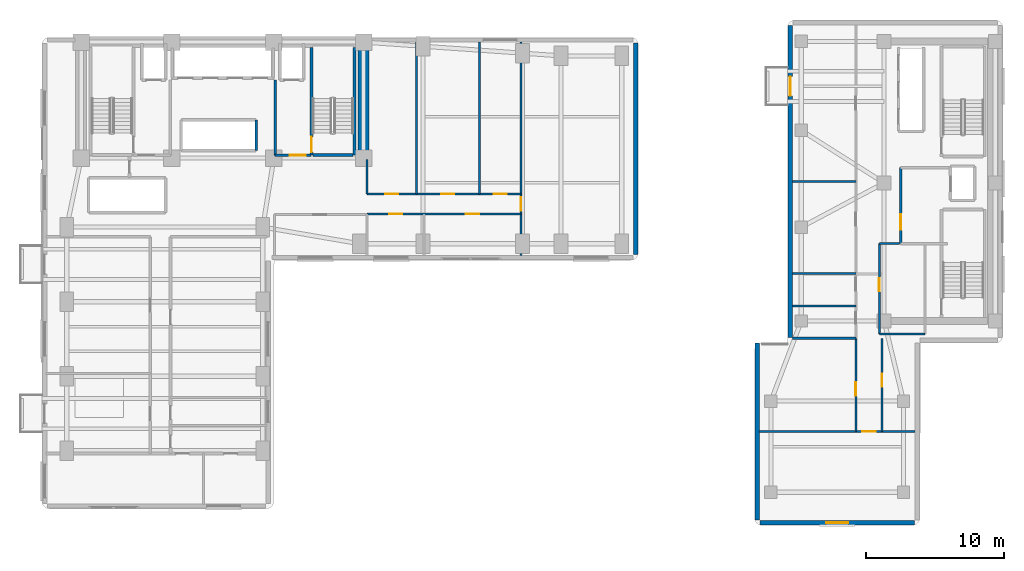
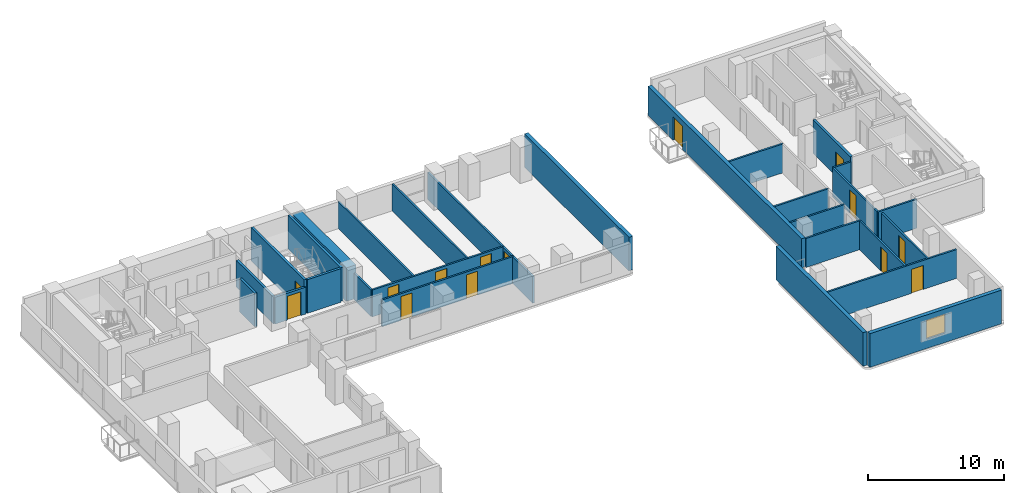
# One storey, part 10 of 16: 28 walls, 14 doors, 1 window, 15 openings.
"""IFC4 building model written with IfcOpenShell, lengths in metres."""

from ifc_helpers import new_model, si_unit, direction, frame, frame_2d, origin, place, context, subcontext, project, spatial, rectangle, extrude, material, layer, layer_set, type_object, element, fill, save


model = new_model("IFC4")

# Units and contexts
model_context = context("Model", 3, precision=1e-05, world=origin(), true_north=direction((0.0, 1.0)))
body_context = subcontext(model_context, "Body", "Model", "MODEL_VIEW")
ifc_project = project(units=[si_unit("LENGTHUNIT", "METRE"), si_unit("AREAUNIT", "SQUARE_METRE"), si_unit("VOLUMEUNIT", "CUBIC_METRE"), si_unit("PLANEANGLEUNIT", "RADIAN"), si_unit("MASSUNIT", "GRAM", prefix="KILO")], contexts=[model_context])

# Site, building, storey
site_placement = place(None, origin())
site = spatial("IfcSite", under=ifc_project, at=site_placement, CompositionType="ELEMENT")
building_placement = place(site_placement, origin())
building = spatial("IfcBuilding", under=site, at=building_placement, Name="Kuzgunbayir Cultural Tower", CompositionType="ELEMENT")
storey_placement = place(building_placement, frame((0.0, 0.0, 66.0)))
storey = spatial("IfcBuildingStorey", under=building, at=storey_placement, Name="L18", CompositionType="ELEMENT", Elevation=66.0)

# Walls
ifc_material_1 = material(Name="Concrete C60/75", Category="concrete")
ifc_layer_1 = layer(ifc_material_1, 0.800048828125)
ifc_layer_set_1 = layer_set([ifc_layer_1], Name="Concrete C60/75")
wall_type_1 = type_object("IfcWallType", Name="WAL-CORE-800", PredefinedType="SHEAR", material=ifc_layer_set_1)
wall_1_placement = place(storey_placement, frame((26.89990234375, 33.800048828125, 0.0), z_axis=(0.0, 0.0, 1.0), x_axis=(0.0, 1.0, 0.0)))
element("IfcWall", 1, at=wall_1_placement, inside=storey, type_object=wall_type_1, Name="L18 T1 Core East Shear Wall", PredefinedType="SHEAR", context=body_context, shape_type="SweptSolid", body=[
    extrude(rectangle(XDim=7.949951171875, YDim=0.800048828125, at=frame_2d((3.97509765625, 0.0))), origin(), (0.0, 0.0, 1.0), 3.02001953125),
])
ifc_material_2 = material(Name="Travertine Buff Ashlar", Category="masonry")
ifc_layer_2 = layer(ifc_material_2, 0.320068359375)
ifc_layer_set_2 = layer_set([ifc_layer_2], Name="Travertine Buff Ashlar")
wall_type_2 = type_object("IfcWallType", Name="WAL-EXT-STONE-320", PredefinedType="STANDARD", material=ifc_layer_set_2)
wall_2_placement = place(storey_placement, frame((46.60009765625, 26.800048828125, 0.0), z_axis=(0.0, 0.0, 1.0), x_axis=(0.0, 1.0, 0.0)))
element("IfcWall", 2, at=wall_2_placement, inside=storey, type_object=wall_type_2, Name="L18 Wing B East Limestone Wall", PredefinedType="STANDARD", context=body_context, shape_type="SweptSolid", body=[
    extrude(rectangle(XDim=15.349853515625, YDim=0.320068359375, at=frame_2d((7.6748046875, 0.0))), origin(), (0.0, 0.0, 1.0), 3.02001953125),
])

# Wall, opening, door
wall_3_placement = place(storey_placement, frame((57.800048828125, 43.39990234375, 0.0), z_axis=(0.0, 0.0, 1.0), x_axis=(0.0, -1.0, 0.0)))
wall_3 = element("IfcWall", 3, at=wall_3_placement, inside=storey, type_object=wall_type_2, Name="L18 Companion West Limestone Wall", PredefinedType="STANDARD", context=body_context, shape_type="SweptSolid", body=[
    extrude(rectangle(XDim=22.599853515625, YDim=0.320068359375, at=frame_2d((11.2998046875, 0.0))), origin(), (0.0, 0.0, 1.0), 2.60009765625),
])
opening_1_placement = place(wall_3_placement, frame((3.699951171875, 0.0, 0.0)))
opening_1 = element("IfcOpeningElement", 4, at=opening_1_placement, cuts=wall_3, Name="Opening BD-15", PredefinedType="OPENING", context=body_context, shape_type="SweptSolid", body=[
    extrude(rectangle(XDim=1.39990234375, YDim=2.10009765625, at=frame_2d((0.699951171875, 1.050048828125))), frame((0.0, 0.169921875, 0.0), z_axis=(0.0, -1.0, 0.0), x_axis=(1.0, 0.0, 0.0)), (0.0, 0.0, 1.0), 0.340087890625),
])
ifc_material_3 = material(Name="Thermally Broken Glazed Aluminium", Category="aluminium")
door_type_1 = type_object("IfcDoorType", Name="DR-BALCONY-150", OperationType="SLIDING_TO_RIGHT", PredefinedType="DOOR", material=ifc_material_3)
door_1_placement = place(opening_1_placement, origin())
door_1 = element("IfcDoor", 5, at=door_1_placement, inside=storey, type_object=door_type_1, Name="L18 Companion Balcony Door BAL-L18-T2W3", OperationType="SLIDING_TO_RIGHT", OverallHeight=2.10009765625, OverallWidth=1.39990234375, PredefinedType="DOOR", context=body_context, shape_type="SweptSolid", body=[
    extrude(rectangle(XDim=1.39990234375, YDim=2.10009765625, at=frame_2d((0.699951171875, 1.050048828125))), frame((0.0, 0.02490234375, 0.0), z_axis=(0.0, -1.0, 0.0), x_axis=(1.0, 0.0, 0.0)), (0.0, 0.0, 1.0), 0.050048828125),
])
fill(opening_1, door_1)

# Wall, opening, window
wall_4_placement = place(storey_placement, frame((55.60009765625, 7.39990234375, 0.0), z_axis=(0.0, 0.0, 1.0), x_axis=(1.0, 0.0, 0.0)))
wall_4 = element("IfcWall", 6, at=wall_4_placement, inside=storey, type_object=wall_type_2, Name="L18 Companion Wing B South Wall", PredefinedType="STANDARD", context=body_context, shape_type="SweptSolid", body=[
    extrude(rectangle(XDim=11.199951171875, YDim=0.320068359375, at=frame_2d((5.60009765625, 0.0))), origin(), (0.0, 0.0, 1.0), 3.02001953125),
])
opening_2_placement = place(wall_4_placement, frame((4.800048828125, 0.0, 0.85009765625)))
opening_2 = element("IfcOpeningElement", 7, at=opening_2_placement, cuts=wall_4, Name="Opening WC-16", PredefinedType="OPENING", context=body_context, shape_type="SweptSolid", body=[
    extrude(rectangle(XDim=1.60009765625, YDim=1.699951171875, at=frame_2d((0.800048828125, 0.85009765625))), frame((0.0, 0.169921875, 0.0), z_axis=(0.0, -1.0, 0.0), x_axis=(1.0, 0.0, 0.0)), (0.0, 0.0, 1.0), 0.340087890625),
])
ifc_material_4 = material(Name="Solar-Control Triple Glazing", Category="glass")
window_type = type_object("IfcWindowType", Name="WIN-COMP-16", PartitioningType="SINGLE_PANEL", PredefinedType="WINDOW", material=ifc_material_4)
window_placement = place(opening_2_placement, origin())
window = element("IfcWindow", 8, at=window_placement, inside=storey, type_object=window_type, Name="L18 Companion South Window", OverallHeight=1.699951171875, OverallWidth=1.60009765625, PartitioningType="SINGLE_PANEL", PredefinedType="WINDOW", context=body_context, shape_type="SweptSolid", body=[
    extrude(rectangle(XDim=1.60009765625, YDim=1.699951171875, at=frame_2d((0.800048828125, 0.85009765625))), frame((0.0, 0.030029296875, 0.0), z_axis=(0.0, -1.0, 0.0), x_axis=(1.0, 0.0, 0.0)), (0.0, 0.0, 1.0), 0.06005859375),
])
fill(opening_2, window)

# Wall
wall_5_placement = place(storey_placement, frame((55.39990234375, 20.39990234375, 0.0), z_axis=(0.0, 0.0, 1.0), x_axis=(0.0, -1.0, 0.0)))
element("IfcWall", 9, at=wall_5_placement, inside=storey, type_object=wall_type_2, Name="L18 Companion Wing B West Wall", PredefinedType="STANDARD", context=body_context, shape_type="SweptSolid", body=[
    extrude(rectangle(XDim=12.7998046875, YDim=0.320068359375, at=frame_2d((6.39990234375, 0.0))), origin(), (0.0, 0.0, 1.0), 3.02001953125),
])

# Wall, openings, doors
ifc_material_5 = material(Name="Acoustic Double-Stud Drywall", Category="gypsum")
ifc_layer_3 = layer(ifc_material_5, 0.14990234375)
ifc_layer_set_3 = layer_set([ifc_layer_3], Name="Acoustic Double-Stud Drywall")
wall_type_3 = type_object("IfcWallType", Name="WAL-PART-ACOUSTIC-150", PredefinedType="PARTITIONING", material=ifc_layer_set_3)
wall_6_placement = place(storey_placement, frame((27.14990234375, 29.75, 0.0), z_axis=(0.0, 0.0, 1.0), x_axis=(1.0, 0.0, 0.0)))
wall_6 = element("IfcWall", 10, at=wall_6_placement, inside=storey, type_object=wall_type_3, Name="L18 Wing B Corridor South Wall", PredefinedType="PARTITIONING", context=body_context, shape_type="SweptSolid", body=[
    extrude(rectangle(XDim=11.150146484375, YDim=0.14990234375, at=frame_2d((5.5751953125, 0.0))), origin(), (0.0, 0.0, 1.0), 2.409912109375),
])
opening_3_placement = place(wall_6_placement, frame((1.590087890625, 0.0, 0.0)))
opening_3 = element("IfcOpeningElement", 11, at=opening_3_placement, cuts=wall_6, Name="Opening DI-90", PredefinedType="OPENING", context=body_context, shape_type="SweptSolid", body=[
    extrude(rectangle(XDim=0.949951171875, YDim=2.14990234375, at=frame_2d((0.47509765625, 1.074951171875))), frame((0.0, 0.0849609375, 0.0), z_axis=(0.0, -1.0, 0.0), x_axis=(1.0, 0.0, 0.0)), (0.0, 0.0, 1.0), 0.169921875),
])
opening_4_placement = place(wall_6_placement, frame((7.159912109375, 0.0, 0.0)))
opening_4 = element("IfcOpeningElement", 12, at=opening_4_placement, cuts=wall_6, Name="Opening DI-90", PredefinedType="OPENING", context=body_context, shape_type="SweptSolid", body=[
    extrude(rectangle(XDim=0.949951171875, YDim=2.14990234375, at=frame_2d((0.47509765625, 1.074951171875))), frame((0.0, 0.0849609375, 0.0), z_axis=(0.0, -1.0, 0.0), x_axis=(1.0, 0.0, 0.0)), (0.0, 0.0, 1.0), 0.169921875),
])
ifc_material_6 = material(Name="Veneered Oak Single Leaf", Category="wood")
door_type_2 = type_object("IfcDoorType", Name="DR-INT-90", OperationType="NOTDEFINED", PredefinedType="DOOR", material=ifc_material_6)
door_2_placement = place(opening_3_placement, origin())
door_2 = element("IfcDoor", 13, at=door_2_placement, inside=storey, type_object=door_type_2, Name="L18 Wing B Curatorial Office 1 Door", OperationType="SINGLE_SWING_RIGHT", OverallHeight=2.14990234375, OverallWidth=0.949951171875, PredefinedType="DOOR", context=body_context, shape_type="SweptSolid", body=[
    extrude(rectangle(XDim=0.949951171875, YDim=2.14990234375, at=frame_2d((0.47509765625, 1.074951171875))), frame((0.0, 0.02490234375, 0.0), z_axis=(0.0, -1.0, 0.0), x_axis=(1.0, 0.0, 0.0)), (0.0, 0.0, 1.0), 0.050048828125),
])
fill(opening_3, door_2)
door_3_placement = place(opening_4_placement, origin())
door_3 = element("IfcDoor", 14, at=door_3_placement, inside=storey, type_object=door_type_2, Name="L18 Wing B Fellows Reading Lounge 2 Door", OperationType="SINGLE_SWING_LEFT", OverallHeight=2.14990234375, OverallWidth=0.949951171875, PredefinedType="DOOR", context=body_context, shape_type="SweptSolid", body=[
    extrude(rectangle(XDim=0.949951171875, YDim=2.14990234375, at=frame_2d((0.47509765625, 1.074951171875))), frame((0.0, 0.02490234375, 0.0), z_axis=(0.0, -1.0, 0.0), x_axis=(1.0, 0.0, 0.0)), (0.0, 0.0, 1.0), 0.050048828125),
])
fill(opening_4, door_3)

wall_7_placement = place(storey_placement, frame((27.14990234375, 31.199951171875, 0.0), z_axis=(0.0, 0.0, 1.0), x_axis=(1.0, 0.0, 0.0)))
wall_7 = element("IfcWall", 15, at=wall_7_placement, inside=storey, type_object=wall_type_3, Name="L18 Wing B Corridor North Wall", PredefinedType="PARTITIONING", context=body_context, shape_type="SweptSolid", body=[
    extrude(rectangle(XDim=11.150146484375, YDim=0.14990234375, at=frame_2d((5.5751953125, 0.0))), origin(), (0.0, 0.0, 1.0), 2.409912109375),
])
opening_5_placement = place(wall_7_placement, frame((1.31005859375, 0.0, 0.0)))
opening_5 = element("IfcOpeningElement", 16, at=opening_5_placement, cuts=wall_7, Name="Opening DI-90", PredefinedType="OPENING", context=body_context, shape_type="SweptSolid", body=[
    extrude(rectangle(XDim=0.949951171875, YDim=2.14990234375, at=frame_2d((0.47509765625, 1.074951171875))), frame((0.0, 0.0849609375, 0.0), z_axis=(0.0, -1.0, 0.0), x_axis=(1.0, 0.0, 0.0)), (0.0, 0.0, 1.0), 0.169921875),
])
opening_6_placement = place(wall_7_placement, frame((5.3701171875, 0.0, 0.0)))
opening_6 = element("IfcOpeningElement", 17, at=opening_6_placement, cuts=wall_7, Name="Opening DI-90", PredefinedType="OPENING", context=body_context, shape_type="SweptSolid", body=[
    extrude(rectangle(XDim=0.949951171875, YDim=2.14990234375, at=frame_2d((0.47509765625, 1.074951171875))), frame((0.0, 0.0849609375, 0.0), z_axis=(0.0, -1.0, 0.0), x_axis=(1.0, 0.0, 0.0)), (0.0, 0.0, 1.0), 0.169921875),
])
opening_7_placement = place(wall_7_placement, frame((9.169921875, 0.0, 0.0)))
opening_7 = element("IfcOpeningElement", 18, at=opening_7_placement, cuts=wall_7, Name="Opening DI-90", PredefinedType="OPENING", context=body_context, shape_type="SweptSolid", body=[
    extrude(rectangle(XDim=0.949951171875, YDim=2.14990234375, at=frame_2d((0.47509765625, 1.074951171875))), frame((0.0, 0.0849609375, 0.0), z_axis=(0.0, -1.0, 0.0), x_axis=(1.0, 0.0, 0.0)), (0.0, 0.0, 1.0), 0.169921875),
])
door_4_placement = place(opening_5_placement, origin())
door_4 = element("IfcDoor", 19, at=door_4_placement, inside=storey, type_object=door_type_2, Name="L18 Wing B North Curatorial Office 1 Door", OperationType="SINGLE_SWING_RIGHT", OverallHeight=2.14990234375, OverallWidth=0.949951171875, PredefinedType="DOOR", context=body_context, shape_type="SweptSolid", body=[
    extrude(rectangle(XDim=0.949951171875, YDim=2.14990234375, at=frame_2d((0.47509765625, 1.074951171875))), frame((0.0, 0.02490234375, 0.0), z_axis=(0.0, -1.0, 0.0), x_axis=(1.0, 0.0, 0.0)), (0.0, 0.0, 1.0), 0.050048828125),
])
fill(opening_5, door_4)
door_5_placement = place(opening_6_placement, origin())
door_5 = element("IfcDoor", 20, at=door_5_placement, inside=storey, type_object=door_type_2, Name="L18 Wing B North Seminar Boardroom 2 Door", OperationType="SINGLE_SWING_LEFT", OverallHeight=2.14990234375, OverallWidth=0.949951171875, PredefinedType="DOOR", context=body_context, shape_type="SweptSolid", body=[
    extrude(rectangle(XDim=0.949951171875, YDim=2.14990234375, at=frame_2d((0.47509765625, 1.074951171875))), frame((0.0, 0.02490234375, 0.0), z_axis=(0.0, -1.0, 0.0), x_axis=(1.0, 0.0, 0.0)), (0.0, 0.0, 1.0), 0.050048828125),
])
fill(opening_6, door_5)
door_6_placement = place(opening_7_placement, origin())
door_6 = element("IfcDoor", 21, at=door_6_placement, inside=storey, type_object=door_type_2, Name="L18 Wing B North Wellness Consultation Studio 3 Door", OperationType="SINGLE_SWING_RIGHT", OverallHeight=2.14990234375, OverallWidth=0.949951171875, PredefinedType="DOOR", context=body_context, shape_type="SweptSolid", body=[
    extrude(rectangle(XDim=0.949951171875, YDim=2.14990234375, at=frame_2d((0.47509765625, 1.074951171875))), frame((0.0, 0.02490234375, 0.0), z_axis=(0.0, -1.0, 0.0), x_axis=(1.0, 0.0, 0.0)), (0.0, 0.0, 1.0), 0.050048828125),
])
fill(opening_7, door_6)

# Wall
wall_8_placement = place(storey_placement, frame((27.14990234375, 31.199951171875, 0.0), z_axis=(0.0, 0.0, 1.0), x_axis=(0.0, 1.0, 0.0)))
element("IfcWall", 22, at=wall_8_placement, inside=storey, type_object=wall_type_3, Name="L18 Wing B North Core Closure Wall", PredefinedType="PARTITIONING", context=body_context, shape_type="SweptSolid", body=[
    extrude(rectangle(XDim=2.47998046875, YDim=0.14990234375, at=frame_2d((1.239990234375, 0.0))), origin(), (0.0, 0.0, 1.0), 2.409912109375),
])

# Wall, opening, door
wall_9_placement = place(storey_placement, frame((38.300048828125, 26.75, 0.0), z_axis=(0.0, 0.0, 1.0), x_axis=(0.0, 1.0, 0.0)))
wall_9 = element("IfcWall", 23, at=wall_9_placement, inside=storey, type_object=wall_type_3, Name="L18 Wing B East Suite Wall", PredefinedType="PARTITIONING", context=body_context, shape_type="SweptSolid", body=[
    extrude(rectangle(XDim=15.449951171875, YDim=0.14990234375, at=frame_2d((7.72509765625, 0.0))), origin(), (0.0, 0.0, 1.0), 2.409912109375),
])
opening_8_placement = place(wall_9_placement, frame((3.219970703125, 0.0, 0.0)))
opening_8 = element("IfcOpeningElement", 24, at=opening_8_placement, cuts=wall_9, Name="Opening DI-100", PredefinedType="OPENING", context=body_context, shape_type="SweptSolid", body=[
    extrude(rectangle(XDim=1.0, YDim=2.14990234375, at=frame_2d((0.5, 1.074951171875))), frame((0.0, 0.0849609375, 0.0), z_axis=(0.0, -1.0, 0.0), x_axis=(1.0, 0.0, 0.0)), (0.0, 0.0, 1.0), 0.169921875),
])
door_type_3 = type_object("IfcDoorType", Name="DR-INT-100", OperationType="NOTDEFINED", PredefinedType="DOOR", material=ifc_material_6)
door_7_placement = place(opening_8_placement, origin())
door_7 = element("IfcDoor", 25, at=door_7_placement, inside=storey, type_object=door_type_3, Name="L18 East Conference Hall Door", OperationType="SINGLE_SWING_LEFT", OverallHeight=2.14990234375, OverallWidth=1.0, PredefinedType="DOOR", context=body_context, shape_type="SweptSolid", body=[
    extrude(rectangle(XDim=1.0, YDim=2.14990234375, at=frame_2d((0.5, 1.074951171875))), frame((0.0, 0.02490234375, 0.0), z_axis=(0.0, -1.0, 0.0), x_axis=(1.0, 0.0, 0.0)), (0.0, 0.0, 1.0), 0.050048828125),
])
fill(opening_8, door_7)

# Walls
for number, where, z_axis, x_axis, name in (
    (26, (30.719970703125, 31.199951171875, 0.0), (0.0, 0.0, 1.0), (0.0, 1.0, 0.0), "L18 Wing B North Partition 1"),
    (27, (35.2900390625, 31.199951171875, 0.0), (0.0, 0.0, 1.0), (0.0, 1.0, 0.0), "L18 Wing B North Partition 2"),
):
    element("IfcWall", number, at=place(storey_placement, frame(where, z_axis=z_axis, x_axis=x_axis)), inside=storey, type_object=wall_type_3, Name=name, PredefinedType="PARTITIONING", context=body_context, shape_type="SweptSolid", body=[
        extrude(rectangle(XDim=11.0, YDim=0.14990234375, at=frame_2d((5.5, 0.0))), origin(), (0.0, 0.0, 1.0), 2.409912109375),
    ])

# Wall, opening, door
wall_10_placement = place(storey_placement, frame((64.25, 21.050048828125, 0.0), z_axis=(0.0, 0.0, 1.0), x_axis=(0.0, 1.0, 0.0)))
wall_10 = element("IfcWall", 28, at=wall_10_placement, inside=storey, type_object=wall_type_3, Name="L18 Companion Archive West Wall", PredefinedType="PARTITIONING", context=body_context, shape_type="SweptSolid", body=[
    extrude(rectangle(XDim=6.550048828125, YDim=0.14990234375, at=frame_2d((3.27490234375, 0.0))), origin(), (0.0, 0.0, 1.0), 2.60009765625),
])
opening_9_placement = place(wall_10_placement, frame((3.10009765625, 0.0, 0.0)))
opening_9 = element("IfcOpeningElement", 29, at=opening_9_placement, cuts=wall_10, Name="Opening DI-90", PredefinedType="OPENING", context=body_context, shape_type="SweptSolid", body=[
    extrude(rectangle(XDim=0.949951171875, YDim=2.14990234375, at=frame_2d((0.47509765625, 1.074951171875))), frame((0.0, 0.0849609375, 0.0), z_axis=(0.0, -1.0, 0.0), x_axis=(1.0, 0.0, 0.0)), (0.0, 0.0, 1.0), 0.169921875),
])
door_8_placement = place(opening_9_placement, origin())
door_8 = element("IfcDoor", 30, at=door_8_placement, inside=storey, type_object=door_type_2, Name="L18 Companion Archive Door", OperationType="SINGLE_SWING_LEFT", OverallHeight=2.14990234375, OverallWidth=0.949951171875, PredefinedType="DOOR", context=body_context, shape_type="SweptSolid", body=[
    extrude(rectangle(XDim=0.949951171875, YDim=2.14990234375, at=frame_2d((0.47509765625, 1.074951171875))), frame((0.0, 0.02490234375, 0.0), z_axis=(0.0, -1.0, 0.0), x_axis=(1.0, 0.0, 0.0)), (0.0, 0.0, 1.0), 0.050048828125),
])
fill(opening_9, door_8)

# Walls
wall_11_placement = place(storey_placement, frame((64.25, 21.050048828125, 0.0), z_axis=(0.0, 0.0, 1.0), x_axis=(1.0, 0.0, 0.0)))
element("IfcWall", 31, at=wall_11_placement, inside=storey, type_object=wall_type_3, Name="L18 Companion Archive South Wall", PredefinedType="PARTITIONING", context=body_context, shape_type="SweptSolid", body=[
    extrude(rectangle(XDim=3.300048828125, YDim=0.14990234375, at=frame_2d((1.64990234375, 0.0))), origin(), (0.0, 0.0, 1.0), 2.60009765625),
])
wall_12_placement = place(storey_placement, frame((64.25, 27.60009765625, 0.0), z_axis=(0.0, 0.0, 1.0), x_axis=(1.0, 0.0, 0.0)))
element("IfcWall", 32, at=wall_12_placement, inside=storey, type_object=wall_type_3, Name="L18 Companion Archive North Wall", PredefinedType="PARTITIONING", context=body_context, shape_type="SweptSolid", body=[
    extrude(rectangle(XDim=1.469970703125, YDim=0.14990234375, at=frame_2d((0.73486328125, 0.0))), origin(), (0.0, 0.0, 1.0), 2.60009765625),
])
wall_13_placement = place(storey_placement, frame((57.949951171875, 32.110107421875, 0.0), z_axis=(0.0, 0.0, 1.0), x_axis=(1.0, 0.0, 0.0)))
element("IfcWall", 33, at=wall_13_placement, inside=storey, type_object=wall_type_3, Name="L18 Companion Studio Partition 1", PredefinedType="PARTITIONING", context=body_context, shape_type="SweptSolid", body=[
    extrude(rectangle(XDim=4.60009765625, YDim=0.14990234375, at=frame_2d((2.300048828125, 0.0))), origin(), (0.0, 0.0, 1.0), 2.60009765625),
])

# Wall, opening, door
wall_14_placement = place(storey_placement, frame((62.550048828125, 14.0, 0.0), z_axis=(0.0, 0.0, 1.0), x_axis=(0.0, 1.0, 0.0)))
wall_14 = element("IfcWall", 34, at=wall_14_placement, inside=storey, type_object=wall_type_3, Name="L18 Companion South Corridor West Wall", PredefinedType="PARTITIONING", context=body_context, shape_type="SweptSolid", body=[
    extrude(rectangle(XDim=6.75, YDim=0.14990234375, at=frame_2d((3.375, 0.0))), origin(), (0.0, 0.0, 1.0), 2.60009765625),
])
opening_10_placement = place(wall_14_placement, frame((2.60009765625, 0.0, 0.0)))
opening_10 = element("IfcOpeningElement", 35, at=opening_10_placement, cuts=wall_14, Name="Opening DI-90", PredefinedType="OPENING", context=body_context, shape_type="SweptSolid", body=[
    extrude(rectangle(XDim=0.949951171875, YDim=2.14990234375, at=frame_2d((0.47509765625, 1.074951171875))), frame((0.0, 0.0849609375, 0.0), z_axis=(0.0, -1.0, 0.0), x_axis=(1.0, 0.0, 0.0)), (0.0, 0.0, 1.0), 0.169921875),
])
door_9_placement = place(opening_10_placement, origin())
door_9 = element("IfcDoor", 36, at=door_9_placement, inside=storey, type_object=door_type_2, Name="L18 Companion West Atelier Door", OperationType="SINGLE_SWING_RIGHT", OverallHeight=2.14990234375, OverallWidth=0.949951171875, PredefinedType="DOOR", context=body_context, shape_type="SweptSolid", body=[
    extrude(rectangle(XDim=0.949951171875, YDim=2.14990234375, at=frame_2d((0.47509765625, 1.074951171875))), frame((0.0, 0.02490234375, 0.0), z_axis=(0.0, -1.0, 0.0), x_axis=(1.0, 0.0, 0.0)), (0.0, 0.0, 1.0), 0.050048828125),
])
fill(opening_10, door_9)

wall_15_placement = place(storey_placement, frame((55.550048828125, 14.0, 0.0), z_axis=(0.0, 0.0, 1.0), x_axis=(1.0, 0.0, 0.0)))
wall_15 = element("IfcWall", 37, at=wall_15_placement, inside=storey, type_object=wall_type_3, Name="L18 Companion South Gallery Wall", PredefinedType="PARTITIONING", context=body_context, shape_type="SweptSolid", body=[
    extrude(rectangle(XDim=11.300048828125, YDim=0.14990234375, at=frame_2d((5.64990234375, 0.0))), origin(), (0.0, 0.0, 1.0), 2.60009765625),
])
opening_11_placement = place(wall_15_placement, frame((7.449951171875, 0.0, 0.0)))
opening_11 = element("IfcOpeningElement", 38, at=opening_11_placement, cuts=wall_15, Name="Opening DI-100", PredefinedType="OPENING", context=body_context, shape_type="SweptSolid", body=[
    extrude(rectangle(XDim=1.0, YDim=2.14990234375, at=frame_2d((0.5, 1.074951171875))), frame((0.0, 0.0849609375, 0.0), z_axis=(0.0, -1.0, 0.0), x_axis=(1.0, 0.0, 0.0)), (0.0, 0.0, 1.0), 0.169921875),
])
door_10_placement = place(opening_11_placement, origin())
door_10 = element("IfcDoor", 39, at=door_10_placement, inside=storey, type_object=door_type_3, Name="L18 Companion South Salon Door", OperationType="SINGLE_SWING_RIGHT", OverallHeight=2.14990234375, OverallWidth=1.0, PredefinedType="DOOR", context=body_context, shape_type="SweptSolid", body=[
    extrude(rectangle(XDim=1.0, YDim=2.14990234375, at=frame_2d((0.5, 1.074951171875))), frame((0.0, 0.02490234375, 0.0), z_axis=(0.0, -1.0, 0.0), x_axis=(1.0, 0.0, 0.0)), (0.0, 0.0, 1.0), 0.050048828125),
])
fill(opening_11, door_10)

wall_16_placement = place(storey_placement, frame((64.449951171875, 14.0, 0.0), z_axis=(0.0, 0.0, 1.0), x_axis=(0.0, 1.0, 0.0)))
wall_16 = element("IfcWall", 40, at=wall_16_placement, inside=storey, type_object=wall_type_3, Name="L18 Companion South Corridor East Wall", PredefinedType="PARTITIONING", context=body_context, shape_type="SweptSolid", body=[
    extrude(rectangle(XDim=6.75, YDim=0.14990234375, at=frame_2d((3.375, 0.0))), origin(), (0.0, 0.0, 1.0), 2.60009765625),
])
opening_12_placement = place(wall_16_placement, frame((3.239990234375, 0.0, 0.0)))
opening_12 = element("IfcOpeningElement", 41, at=opening_12_placement, cuts=wall_16, Name="Opening DI-90", PredefinedType="OPENING", context=body_context, shape_type="SweptSolid", body=[
    extrude(rectangle(XDim=0.949951171875, YDim=2.14990234375, at=frame_2d((0.47509765625, 1.074951171875))), frame((0.0, 0.0849609375, 0.0), z_axis=(0.0, -1.0, 0.0), x_axis=(1.0, 0.0, 0.0)), (0.0, 0.0, 1.0), 0.169921875),
])
door_11_placement = place(opening_12_placement, origin())
door_11 = element("IfcDoor", 42, at=door_11_placement, inside=storey, type_object=door_type_2, Name="L18 Companion East Studio Door", OperationType="SINGLE_SWING_LEFT", OverallHeight=2.14990234375, OverallWidth=0.949951171875, PredefinedType="DOOR", context=body_context, shape_type="SweptSolid", body=[
    extrude(rectangle(XDim=0.949951171875, YDim=2.14990234375, at=frame_2d((0.47509765625, 1.074951171875))), frame((0.0, 0.02490234375, 0.0), z_axis=(0.0, -1.0, 0.0), x_axis=(1.0, 0.0, 0.0)), (0.0, 0.0, 1.0), 0.050048828125),
])
fill(opening_12, door_11)

# Wall
ifc_material_7 = material(Name="Aerated Concrete Blockwork", Category="masonry")
ifc_layer_4 = layer(ifc_material_7, 0.199951171875)
ifc_layer_set_4 = layer_set([ifc_layer_4], Name="Aerated Concrete Blockwork")
wall_type_4 = type_object("IfcWallType", Name="WAL-PART-FIRE-200", PredefinedType="PARTITIONING", material=ifc_layer_set_4)
wall_17_placement = place(storey_placement, frame((20.5, 34.0, 0.0), z_axis=(0.0, 0.0, 1.0), x_axis=(0.0, 1.0, 0.0)))
element("IfcWall", 43, at=wall_17_placement, inside=storey, type_object=wall_type_4, Name="L18 FFL-2 Lobby West Fire Wall", PredefinedType="PARTITIONING", context=body_context, shape_type="SweptSolid", body=[
    extrude(rectangle(XDim=5.449951171875, YDim=0.199951171875, at=frame_2d((2.72509765625, 0.0))), origin(), (0.0, 0.0, 1.0), 2.409912109375),
])

# Wall, opening, door
wall_18_placement = place(storey_placement, frame((20.5, 34.0, 0.0), z_axis=(0.0, 0.0, 1.0), x_axis=(1.0, 0.0, 0.0)))
wall_18 = element("IfcWall", 44, at=wall_18_placement, inside=storey, type_object=wall_type_4, Name="L18 FFL-2 Lobby South Fire Wall", PredefinedType="PARTITIONING", context=body_context, shape_type="SweptSolid", body=[
    extrude(rectangle(XDim=2.60009765625, YDim=0.199951171875, at=frame_2d((1.300048828125, 0.0))), origin(), (0.0, 0.0, 1.0), 2.409912109375),
])
opening_13_placement = place(wall_18_placement, frame((1.050048828125, 0.0, 0.0)))
opening_13 = element("IfcOpeningElement", 45, at=opening_13_placement, cuts=wall_18, Name="Opening DR-FFL-90", PredefinedType="OPENING", context=body_context, shape_type="SweptSolid", body=[
    extrude(rectangle(XDim=1.14990234375, YDim=2.14990234375, at=frame_2d((0.574951171875, 1.074951171875))), frame((0.0, 0.10986328125, 0.0), z_axis=(0.0, -1.0, 0.0), x_axis=(1.0, 0.0, 0.0)), (0.0, 0.0, 1.0), 0.219970703125),
])
ifc_material_8 = material(Name="Steel S355J2", Category="steel")
door_type_4 = type_object("IfcDoorType", Name="DR-FFL-90", OperationType="NOTDEFINED", PredefinedType="DOOR", material=ifc_material_8)
door_12_placement = place(opening_13_placement, origin())
door_12 = element("IfcDoor", 46, at=door_12_placement, inside=storey, type_object=door_type_4, Name="L18 Firefighting Lobby 2 Door", OperationType="SINGLE_SWING_RIGHT", OverallHeight=2.14990234375, OverallWidth=1.14990234375, PredefinedType="DOOR", context=body_context, shape_type="SweptSolid", body=[
    extrude(rectangle(XDim=1.14990234375, YDim=2.14990234375, at=frame_2d((0.574951171875, 1.074951171875))), frame((0.0, 0.02490234375, 0.0), z_axis=(0.0, -1.0, 0.0), x_axis=(1.0, 0.0, 0.0)), (0.0, 0.0, 1.0), 0.050048828125),
])
fill(opening_13, door_12)

wall_19_placement = place(storey_placement, frame((65.800048828125, 27.60009765625, 0.0), z_axis=(0.0, 0.0, 1.0), x_axis=(0.0, 1.0, 0.0)))
wall_19 = element("IfcWall", 47, at=wall_19_placement, inside=storey, type_object=wall_type_4, Name="L18 FFL-3 Lobby West Fire Wall", PredefinedType="PARTITIONING", context=body_context, shape_type="SweptSolid", body=[
    extrude(rectangle(XDim=5.5, YDim=0.199951171875, at=frame_2d((2.75, 0.0))), origin(), (0.0, 0.0, 1.0), 3.02001953125),
])
opening_14_placement = place(wall_19_placement, frame((1.0, 0.0, 0.0)))
opening_14 = element("IfcOpeningElement", 48, at=opening_14_placement, cuts=wall_19, Name="Opening DR-FFL-90", PredefinedType="OPENING", context=body_context, shape_type="SweptSolid", body=[
    extrude(rectangle(XDim=1.14990234375, YDim=2.14990234375, at=frame_2d((0.574951171875, 1.074951171875))), frame((0.0, 0.10986328125, 0.0), z_axis=(0.0, -1.0, 0.0), x_axis=(1.0, 0.0, 0.0)), (0.0, 0.0, 1.0), 0.219970703125),
])
door_13_placement = place(opening_14_placement, origin())
door_13 = element("IfcDoor", 49, at=door_13_placement, inside=storey, type_object=door_type_4, Name="L18 Firefighting Lobby 3 Door", OperationType="SINGLE_SWING_RIGHT", OverallHeight=2.14990234375, OverallWidth=1.14990234375, PredefinedType="DOOR", context=body_context, shape_type="SweptSolid", body=[
    extrude(rectangle(XDim=1.14990234375, YDim=2.14990234375, at=frame_2d((0.574951171875, 1.074951171875))), frame((0.0, 0.02490234375, 0.0), z_axis=(0.0, -1.0, 0.0), x_axis=(1.0, 0.0, 0.0)), (0.0, 0.0, 1.0), 0.050048828125),
])
fill(opening_14, door_13)

# Walls
ifc_material_9 = material(Name="Moisture-Resistant Tile Partition", Category="gypsum")
ifc_layer_5 = layer(ifc_material_9, 0.14990234375)
ifc_layer_set_5 = layer_set([ifc_layer_5], Name="Moisture-Resistant Tile Partition")
wall_type_5 = type_object("IfcWallType", Name="WAL-PART-WET-150", PredefinedType="PARTITIONING", material=ifc_layer_set_5)
for number, where, z_axis, x_axis, name in (
    (50, (57.949951171875, 20.75, 0.0), (0.0, 0.0, 1.0), (1.0, 0.0, 0.0), "L18 Companion WC South Wall"),
    (51, (57.949951171875, 23.10009765625, 0.0), (0.0, 0.0, 1.0), (1.0, 0.0, 0.0), "L18 Companion WC North Wall"),
    (52, (57.949951171875, 25.449951171875, 0.0), (0.0, 0.0, 1.0), (1.0, 0.0, 0.0), "L18 Companion Accessible WC Wall"),
):
    element("IfcWall", number, at=place(storey_placement, frame(where, z_axis=z_axis, x_axis=x_axis)), inside=storey, type_object=wall_type_5, Name=name, PredefinedType="PARTITIONING", context=body_context, shape_type="SweptSolid", body=[
        extrude(rectangle(XDim=4.60009765625, YDim=0.14990234375, at=frame_2d((2.300048828125, 0.0))), origin(), (0.0, 0.0, 1.0), 2.60009765625),
    ])
ifc_material_10 = material(Name="Concrete C40/50", Category="concrete")
ifc_layer_6 = layer(ifc_material_10, 0.199951171875)
ifc_layer_set_6 = layer_set([ifc_layer_6], Name="Concrete C40/50")
wall_type_6 = type_object("IfcWallType", Name="WAL-SHAFT-200", PredefinedType="MOVABLE", material=ifc_layer_set_6)
wall_20_placement = place(storey_placement, frame((19.1201171875, 34.35009765625, 0.0), z_axis=(0.0, 0.0, 1.0), x_axis=(0.0, 1.0, 0.0)))
element("IfcWall", 53, at=wall_20_placement, inside=storey, type_object=wall_type_6, Name="L18 Mid-Rise Lift Shaft East Wall", PredefinedType="MOVABLE", context=body_context, shape_type="SweptSolid", body=[
    extrude(rectangle(XDim=2.199951171875, YDim=0.199951171875, at=frame_2d((1.10009765625, 0.0))), origin(), (0.0, 0.0, 1.0), 3.02001953125),
])

# Wall, opening, door
ifc_layer_7 = layer(ifc_material_10, 0.199951171875)
ifc_layer_set_7 = layer_set([ifc_layer_7], Name="Concrete C40/50")
wall_type_7 = type_object("IfcWallType", Name="WAL-STAIR-RC-200", PredefinedType="SHEAR", material=ifc_layer_set_7)
wall_21_placement = place(storey_placement, frame((23.1201171875, 34.02001953125, 0.0), z_axis=(0.0, 0.0, 1.0), x_axis=(0.0, 1.0, 0.0)))
wall_21 = element("IfcWall", 54, at=wall_21_placement, inside=storey, type_object=wall_type_7, Name="L18 Stair ST-2 West Structural Wall", PredefinedType="SHEAR", context=body_context, shape_type="SweptSolid", body=[
    extrude(rectangle(XDim=7.780029296875, YDim=0.199951171875, at=frame_2d((3.89013671875, 0.0))), origin(), (0.0, 0.0, 1.0), 3.02001953125),
])
opening_15_placement = place(wall_21_placement, frame((0.219970703125, 0.0, 0.0)))
opening_15 = element("IfcOpeningElement", 55, at=opening_15_placement, cuts=wall_21, Name="Opening DR-STAIR-90", PredefinedType="OPENING", context=body_context, shape_type="SweptSolid", body=[
    extrude(rectangle(XDim=1.10009765625, YDim=2.14990234375, at=frame_2d((0.550048828125, 1.074951171875))), frame((0.0, 0.10986328125, 0.0), z_axis=(0.0, -1.0, 0.0), x_axis=(1.0, 0.0, 0.0)), (0.0, 0.0, 1.0), 0.219970703125),
])
door_type_5 = type_object("IfcDoorType", Name="DR-STAIR-90", OperationType="NOTDEFINED", PredefinedType="DOOR", material=ifc_material_8)
door_14_placement = place(opening_15_placement, origin())
door_14 = element("IfcDoor", 56, at=door_14_placement, inside=storey, type_object=door_type_5, Name="L18 Stair ST-2 Fire Door", OperationType="SINGLE_SWING_RIGHT", OverallHeight=2.14990234375, OverallWidth=1.10009765625, PredefinedType="DOOR", context=body_context, shape_type="SweptSolid", body=[
    extrude(rectangle(XDim=1.10009765625, YDim=2.14990234375, at=frame_2d((0.550048828125, 1.074951171875))), frame((0.0, 0.02490234375, 0.0), z_axis=(0.0, -1.0, 0.0), x_axis=(1.0, 0.0, 0.0)), (0.0, 0.0, 1.0), 0.050048828125),
])
fill(opening_15, door_14)

# Walls
wall_22_placement = place(storey_placement, frame((26.239990234375, 34.02001953125, 0.0), z_axis=(0.0, 0.0, 1.0), x_axis=(0.0, 1.0, 0.0)))
element("IfcWall", 57, at=wall_22_placement, inside=storey, type_object=wall_type_7, Name="L18 Stair ST-2 East Structural Wall", PredefinedType="SHEAR", context=body_context, shape_type="SweptSolid", body=[
    extrude(rectangle(XDim=7.780029296875, YDim=0.199951171875, at=frame_2d((3.89013671875, 0.0))), origin(), (0.0, 0.0, 1.0), 3.02001953125),
])
wall_23_placement = place(storey_placement, frame((23.239990234375, 34.02001953125, 0.0), z_axis=(0.0, 0.0, 1.0), x_axis=(1.0, 0.0, 0.0)))
element("IfcWall", 58, at=wall_23_placement, inside=storey, type_object=wall_type_7, Name="L18 Stair ST-2 South Structural Wall", PredefinedType="SHEAR", context=body_context, shape_type="SweptSolid", body=[
    extrude(rectangle(XDim=2.880126953125, YDim=0.199951171875, at=frame_2d((1.43994140625, 0.0))), origin(), (0.0, 0.0, 1.0), 3.02001953125),
])

save(model, "model.ifc")
